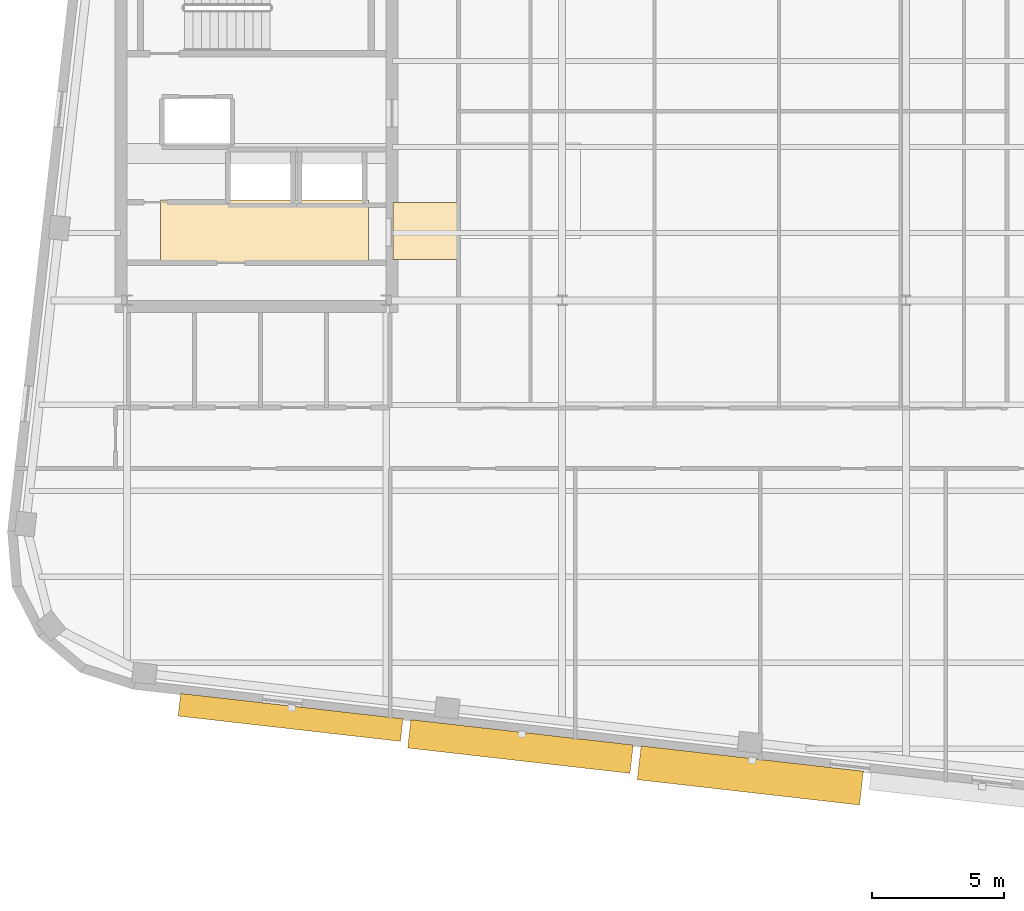
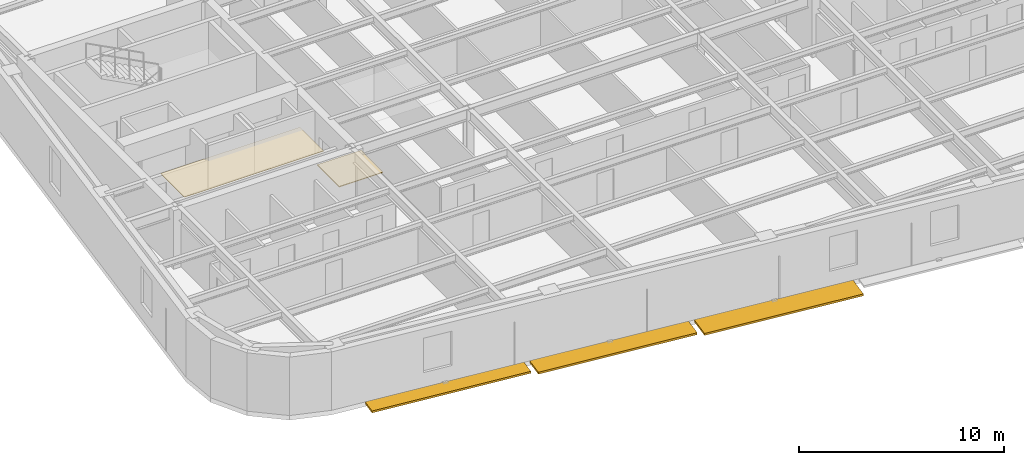
# One storey, part 10 of 13: 3 shading devices, 2 coverings.
"""IFC4 building model written with IfcOpenShell, lengths in metres."""

from ifc_helpers import new_model, si_unit, direction, frame, origin, origin_2d, place, context, subcontext, project, spatial, polyline, rectangle, outline, extrude, material, layer, layer_set, type_object, element, save


model = new_model("IFC4")

# Units and contexts
model_context = context("Model", 3, precision=1e-05, world=origin(), true_north=direction((0.0, 1.0)))
body_context = subcontext(model_context, "Body", "Model", "MODEL_VIEW")
ifc_project = project(units=[si_unit("LENGTHUNIT", "METRE"), si_unit("AREAUNIT", "SQUARE_METRE"), si_unit("VOLUMEUNIT", "CUBIC_METRE"), si_unit("PLANEANGLEUNIT", "RADIAN"), si_unit("MASSUNIT", "GRAM", prefix="KILO")], contexts=[model_context])

# Site, building, storey
site_placement = place(None, origin())
site = spatial("IfcSite", under=ifc_project, at=site_placement, CompositionType="ELEMENT")
building_placement = place(site_placement, origin())
building = spatial("IfcBuilding", under=site, at=building_placement, Name="Kolvaren Arena Tower", CompositionType="ELEMENT")
storey_placement = place(building_placement, frame((0.0, 0.0, 232.199951171875)))
storey = spatial("IfcBuildingStorey", under=building, at=storey_placement, Name="L56", CompositionType="ELEMENT", Elevation=232.199951171875)

# Coverings
ifc_material_1 = material(Name="Moisture-resistant gypsum ceiling", Category="gypsum")
ifc_layer_1 = layer(ifc_material_1, 0.030029296875)
ifc_layer_set_1 = layer_set([ifc_layer_1], Name="Moisture-resistant gypsum ceiling")
covering_type_1 = type_object("IfcCoveringType", Name="CEIL-GYP-1", PredefinedType="CEILING", material=ifc_layer_set_1)
covering_1_placement = place(storey_placement, frame((0.0, 0.0, 2.52001953125)))
element("IfcCovering", 1, at=covering_1_placement, inside=storey, type_object=covering_type_1, Name="Suspended Ceiling (L56)", PredefinedType="CEILING", context=body_context, shape_type="SweptSolid", body=[
    extrude(outline(polyline([(15.820068359375, 20.89990234375), (15.820068359375, 23.239990234375), (23.679931640625, 23.239990234375), (23.679931640625, 20.89990234375), (15.820068359375, 20.89990234375)])), origin(), (0.0, 0.0, 1.0), 0.030029296875),
])
ifc_material_2 = material(Name="Raised access office floor finish", Category="aluminium")
ifc_layer_2 = layer(ifc_material_2, 0.044921875)
ifc_layer_set_2 = layer_set([ifc_layer_2], Name="Raised access office floor finish")
covering_type_2 = type_object("IfcCoveringType", Name="FLOR-RAF-1", PredefinedType="FLOORING", material=ifc_layer_set_2)
covering_2_placement = place(storey_placement, origin())
element("IfcCovering", 2, at=covering_2_placement, inside=storey, type_object=covering_type_2, Name="Floor Finish (L56)", PredefinedType="FLOORING", context=body_context, shape_type="SweptSolid", body=[
    extrude(outline(polyline([(24.60009765625, 21.0), (24.60009765625, 23.14990234375), (27.080078125, 23.14990234375), (27.080078125, 21.0), (24.60009765625, 21.0)])), origin(), (0.0, 0.0, 1.0), 0.045166015625),
])

# Shading devices
ifc_material_3 = material(Name="Architectural precast GFRC and anodised aluminium sunshade", Category="concrete")
shading_device_type_1 = type_object("IfcShadingDeviceType", Name="SHAD-SINE-A", PredefinedType="USERDEFINED", material=ifc_material_3)
shading_device_1_placement = place(storey_placement, frame((29.426025390625, 2.58447265625, -0.139892578125), z_axis=(0.0, 0.0, 1.0), x_axis=(-0.993571658098, 0.113204947878, 0.0)))
element("IfcShadingDevice", 3, at=shading_device_1_placement, inside=storey, type_object=shading_device_type_1, Name="Sinusoidal Slab-Edge Sunshade Louvre (L56)", ObjectType="LOUVRE", PredefinedType="USERDEFINED", context=body_context, shape_type="SweptSolid", body=[
    extrude(rectangle(XDim=8.4599609375, YDim=1.077880859375, at=origin_2d()), origin(), (0.0, 0.0, 1.0), 0.1201171875),
])
shading_device_2_placement = place(storey_placement, frame((20.734619140625, 3.684814453125, -0.139892578125), z_axis=(0.0, 0.0, 1.0), x_axis=(-0.993571658098, 0.113204947878, 0.0)))
element("IfcShadingDevice", 4, at=shading_device_2_placement, inside=storey, type_object=shading_device_type_1, Name="Sinusoidal Slab-Edge Sunshade Louvre (L56)", ObjectType="LOUVRE", PredefinedType="USERDEFINED", context=body_context, shape_type="SweptSolid", body=[
    extrude(rectangle(XDim=8.4599609375, YDim=0.859130859375, at=origin_2d()), origin(), (0.0, 0.0, 1.0), 0.1201171875),
])
shading_device_type_2 = type_object("IfcShadingDeviceType", Name="SHAD-SINE-B", PredefinedType="JALOUSIE", material=ifc_material_3)
shading_device_3_placement = place(storey_placement, frame((38.117919921875, 1.48974609375, -0.139892578125), z_axis=(0.0, 0.0, 1.0), x_axis=(-0.993571658098, 0.113204947878, 0.0)))
element("IfcShadingDevice", 5, at=shading_device_3_placement, inside=storey, type_object=shading_device_type_2, Name="Sinusoidal Slab-Edge Sunshade Louvre (L56)", PredefinedType="JALOUSIE", context=body_context, shape_type="SweptSolid", body=[
    extrude(rectangle(XDim=8.4599609375, YDim=1.285400390625, at=origin_2d()), origin(), (0.0, 0.0, 1.0), 0.1201171875),
])

save(model, "model.ifc")
